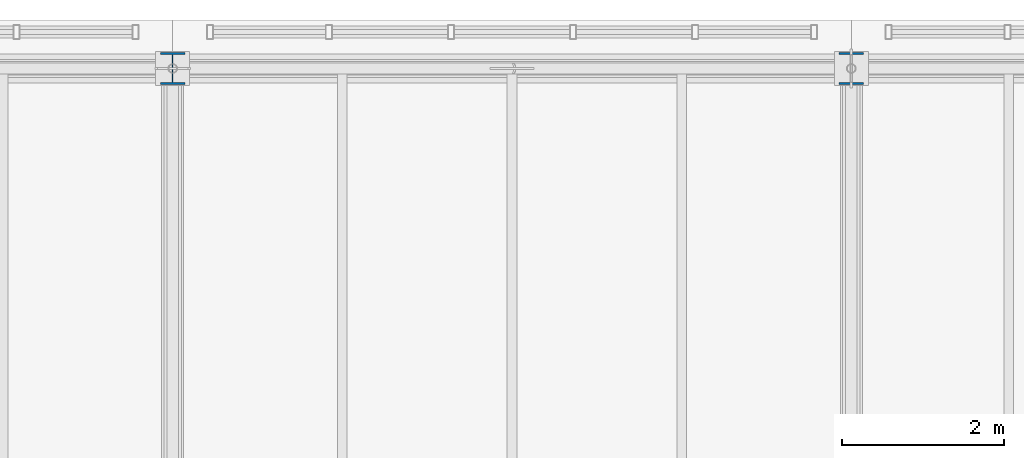
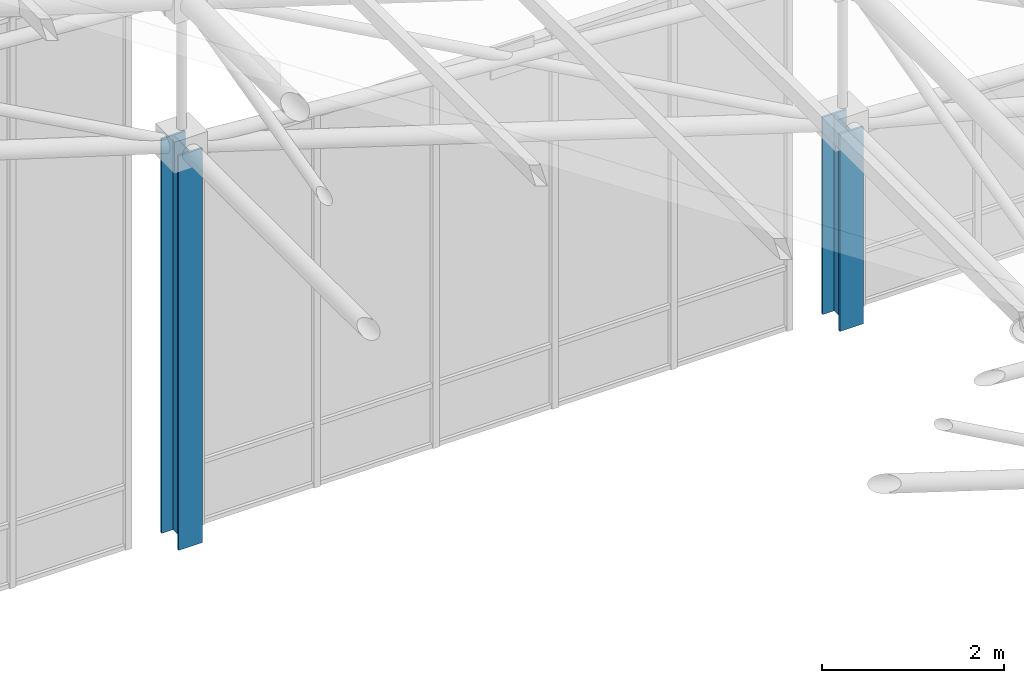
# One storey, part 10 of 144: 2 columns.
"""IFC4 building model written with IfcOpenShell, lengths in metres."""

from ifc_helpers import new_model, si_unit, direction, frame, origin, origin_2d, place, context, subcontext, project, spatial, i_section, extrude, material, material_profile, profile_set, type_object, element, save


model = new_model("IFC4")

# Units and contexts
model_context = context("Model", 3, precision=1e-05, world=origin(), true_north=direction((0.0, 1.0)))
body_context = subcontext(model_context, "Body", "Model", "MODEL_VIEW")
ifc_project = project(units=[si_unit("LENGTHUNIT", "METRE"), si_unit("AREAUNIT", "SQUARE_METRE"), si_unit("VOLUMEUNIT", "CUBIC_METRE"), si_unit("PLANEANGLEUNIT", "RADIAN"), si_unit("MASSUNIT", "GRAM", prefix="KILO")], contexts=[model_context])

# Site, building, storey
site_placement = place(None, origin())
site = spatial("IfcSite", under=ifc_project, at=site_placement, CompositionType="ELEMENT")
building_placement = place(site_placement, origin())
building = spatial("IfcBuilding", under=site, at=building_placement, Name="Zayran Congress Hotel", CompositionType="ELEMENT")
storey_placement = place(building_placement, frame((0.0, 0.0, 19.199951171875)))
storey = spatial("IfcBuildingStorey", under=building, at=storey_placement, Name="L04", CompositionType="ELEMENT", Elevation=19.199951171875)

# Columns
ifc_material = material(Name="Steel S355", Category="steel")
ifc_material_profile = material_profile(ifc_material, i_section(OverallWidth=0.300048828125, OverallDepth=0.39990234375, WebThickness=0.013427734375, FlangeThickness=0.02392578125, at=origin_2d()), Name="HEB 400")
ifc_profile_set = profile_set([ifc_material_profile], Name="Steel S355")
column_type = type_object("IfcColumnType", Name="TP-CL-07", PredefinedType="COLUMN", material=ifc_profile_set)
column_1_placement = place(storey_placement, frame((75.60009765625, 117.39990234375, 0.0), z_axis=(0.0, 0.0, 1.0), x_axis=(1.0, 0.0, 0.0)))
element("IfcColumn", 1, at=column_1_placement, inside=storey, type_object=column_type, Name="COL-V1-GAB-1424", PredefinedType="COLUMN", context=body_context, shape_type="SweptSolid", body=[
    extrude(i_section(OverallWidth=0.300048828125, OverallDepth=0.39990234375, WebThickness=0.013427734375, FlangeThickness=0.02392578125, at=origin_2d()), origin(), (0.0, 0.0, 1.0), 5.300048828125),
])
column_2_placement = place(storey_placement, frame((84.0, 117.39990234375, 0.0), z_axis=(0.0, 0.0, 1.0), x_axis=(1.0, 0.0, 0.0)))
element("IfcColumn", 2, at=column_2_placement, inside=storey, type_object=column_type, Name="COL-V1-GAB-1426", PredefinedType="COLUMN", context=body_context, shape_type="SweptSolid", body=[
    extrude(i_section(OverallWidth=0.300048828125, OverallDepth=0.39990234375, WebThickness=0.013427734375, FlangeThickness=0.02392578125, at=origin_2d()), origin(), (0.0, 0.0, 1.0), 2.650146484375),
])

save(model, "model.ifc")
